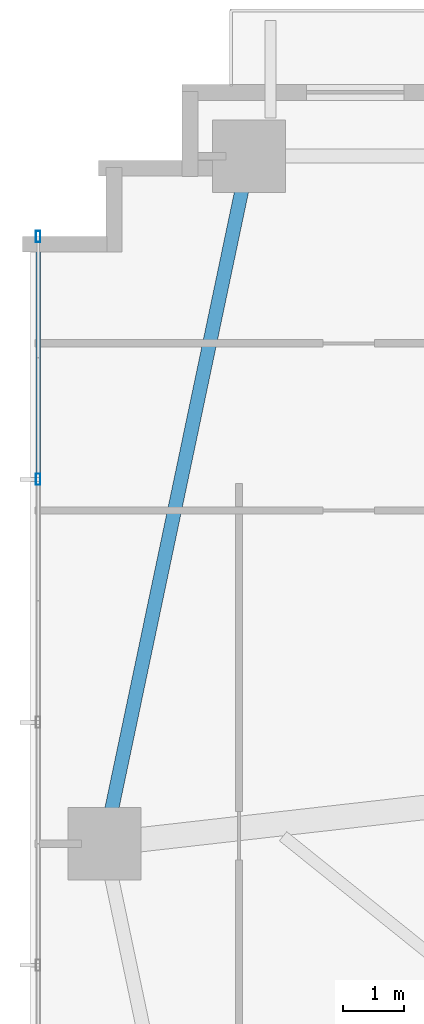
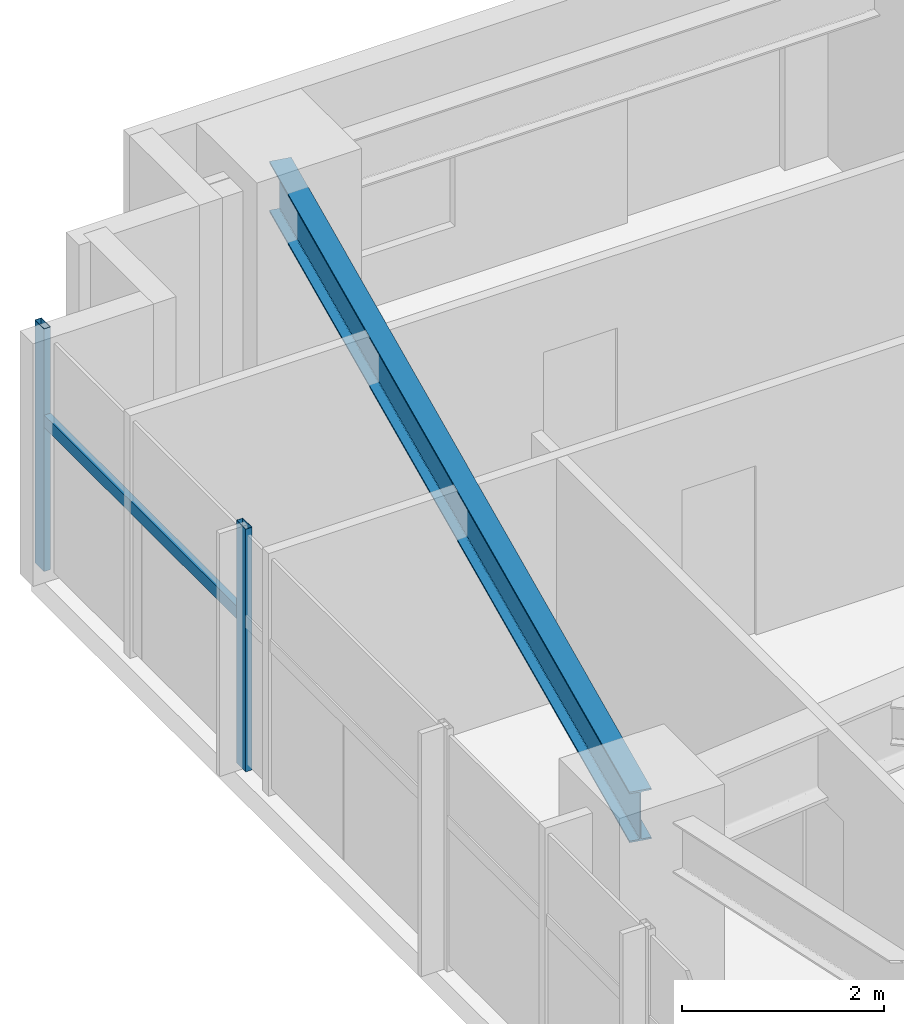
# One storey, part 8 of 25: 3 members, 1 beam, 1 element without a shape of its own.
"""IFC4 building model written with IfcOpenShell, lengths in metres."""

from ifc_helpers import new_model, si_unit, direction, frame, origin, origin_2d, place, context, subcontext, project, spatial, hollow_rectangle, i_section, extrude, source, transform, mapped, material, material_profile, profile_set, type_object, type_shapes, element, aggregate, save


model = new_model("IFC4")

# Units and contexts
model_context = context("Model", 3, precision=1e-05, world=origin(), true_north=direction((0.0, 1.0)))
body_context = subcontext(model_context, "Body", "Model", "MODEL_VIEW")
ifc_project = project(units=[si_unit("LENGTHUNIT", "METRE"), si_unit("AREAUNIT", "SQUARE_METRE"), si_unit("VOLUMEUNIT", "CUBIC_METRE"), si_unit("PLANEANGLEUNIT", "RADIAN"), si_unit("MASSUNIT", "GRAM", prefix="KILO")], contexts=[model_context])

# Site, building, storey
site_placement = place(None, origin())
site = spatial("IfcSite", under=ifc_project, at=site_placement, CompositionType="ELEMENT")
building_placement = place(site_placement, origin())
building = spatial("IfcBuilding", under=site, at=building_placement, Name="Astriad Promenade Condominiums", CompositionType="ELEMENT")
storey_placement = place(building_placement, frame((0.0, 0.0, 55.0)))
storey = spatial("IfcBuildingStorey", under=building, at=storey_placement, Name="L15", CompositionType="ELEMENT", Elevation=55.0)

# Beam
ifc_material_1 = material(Name="Steel ASTM A992 Grade 50", Category="steel")
ifc_material_profile_1 = material_profile(ifc_material_1, i_section(OverallWidth=0.22900390625, OverallDepth=0.612060546875, WebThickness=0.011962890625, FlangeThickness=0.01953125, FilletRadius=0.017822265625, at=origin_2d()), Name="W24X84")
ifc_profile_set_1 = profile_set([ifc_material_profile_1], Name="Steel ASTM A992 Grade 50")
beam_type = type_object("IfcBeamType", Name="STEEL SPANDREL BEAM W24X84", PredefinedType="SPANDREL", material=ifc_profile_set_1)
shared_shape_1 = source(origin(), body_context, "Body", "SweptSolid", [
    extrude(i_section(OverallWidth=0.22900390625, OverallDepth=0.612060546875, WebThickness=0.011962890625, FlangeThickness=0.01953125, FilletRadius=0.017822265625, at=origin_2d()), origin(), (0.0, 0.0, 1.0), 11.48779296875),
])
type_shapes(beam_type, [shared_shape_1])
beam_placement = place(storey_placement, frame((9.391845703125, 26.48095703125, 2.6337890625), z_axis=(-0.205743776427, -0.978605895374, 0.0), x_axis=(0.978605895374, -0.205743776427, 0.0)))
element("IfcBeam", 1, at=beam_placement, inside=storey, type_object=beam_type, Name="Perimeter Spandrel Beam SP-W2-L15", PredefinedType="SPANDREL", context=body_context, shape_type="MappedRepresentation", body=[
    mapped(shared_shape_1, transform((0.0, 0.0, 0.0), scale=1.0)),
])

# Curtain wall, members
ifc_material_2 = material(Name="Anodised aluminium Black Dark Glass Unitised", Category="aluminium")
curtain_wall_type = type_object("IfcCurtainWallType", Name="CW-B1-DARK", PredefinedType="USERDEFINED", material=ifc_material_2)
curtain_wall_placement = place(storey_placement, origin())
curtain_wall = element("IfcCurtainWall", 2, at=curtain_wall_placement, inside=storey, type_object=curtain_wall_type, Name="CW-L15-W", ObjectType="UNITISED_CURTAIN_WALL", PredefinedType="USERDEFINED")
ifc_material_3 = material(Name="Anodised aluminium 6063-T6 Black", Category="aluminium")
ifc_material_profile_2 = material_profile(ifc_material_3, hollow_rectangle(XDim=0.074951171875, YDim=0.18505859375, WallThickness=0.00439453125, at=origin_2d()), Name="ALU-MUL-75X185")
ifc_profile_set_2 = profile_set([ifc_material_profile_2], Name="Anodised aluminium 6063-T6 Black")
member_type_1 = type_object("IfcMemberType", Name="MUL-ALU-MUL-75X185", PredefinedType="MULLION", material=ifc_profile_set_2)
shared_shape_2 = source(origin(), body_context, "Body", "SweptSolid", [
    extrude(hollow_rectangle(XDim=0.074951171875, YDim=0.18505859375, WallThickness=0.00439453125, at=origin_2d()), origin(), (0.0, 0.0, 1.0), 2.93994140625),
])
type_shapes(member_type_1, [shared_shape_2])
member_1_placement = place(storey_placement, frame((5.929931640625, 21.199951171875, 0.0), z_axis=(0.0, 0.0, 1.0), x_axis=(1.0, 0.0, 0.0)))
member_1 = element("IfcMember", 3, at=member_1_placement, type_object=member_type_1, Name="CW-L15-W-MUL-04", PredefinedType="MULLION", context=body_context, shape_type="MappedRepresentation", body=[
    mapped(shared_shape_2, transform((0.0, 0.0, 0.0), scale=1.0)),
])
member_2_placement = place(storey_placement, frame((5.929931640625, 25.199951171875, 0.0), z_axis=(0.0, 0.0, 1.0), x_axis=(1.0, 0.0, 0.0)))
member_2 = element("IfcMember", 4, at=member_2_placement, type_object=member_type_1, Name="CW-L15-W-MUL-05", PredefinedType="MULLION", context=body_context, shape_type="MappedRepresentation", body=[
    mapped(shared_shape_2, transform((0.0, 0.0, 0.0), scale=1.0)),
])
ifc_material_profile_3 = material_profile(ifc_material_3, hollow_rectangle(XDim=0.074951171875, YDim=0.14990234375, WallThickness=0.004150390625, at=origin_2d()), Name="ALU-TRN-75X150")
ifc_profile_set_3 = profile_set([ifc_material_profile_3], Name="Anodised aluminium 6063-T6 Black")
member_type_2 = type_object("IfcMemberType", Name="TRN-ALU-TRN-75X150", PredefinedType="USERDEFINED", material=ifc_profile_set_3)
shared_shape_3 = source(origin(), body_context, "Body", "SweptSolid", [
    extrude(hollow_rectangle(XDim=0.074951171875, YDim=0.14990234375, WallThickness=0.004150390625, at=origin_2d()), origin(), (0.0, 0.0, 1.0), 4.0),
])
type_shapes(member_type_2, [shared_shape_3])
member_3_placement = place(storey_placement, frame((5.929931640625, 21.199951171875, 1.82275390625), z_axis=(0.0, 1.0, 0.0), x_axis=(-1.0, 0.0, 0.0)))
member_3 = element("IfcMember", 5, at=member_3_placement, type_object=member_type_2, Name="CW-L15-W-TRN-04-0", ObjectType="TRANSOM", PredefinedType="USERDEFINED", context=body_context, shape_type="MappedRepresentation", body=[
    mapped(shared_shape_3, transform((0.0, 0.0, 0.0), scale=1.0)),
])
aggregate(curtain_wall, [member_1, member_2, member_3])

save(model, "model.ifc")
